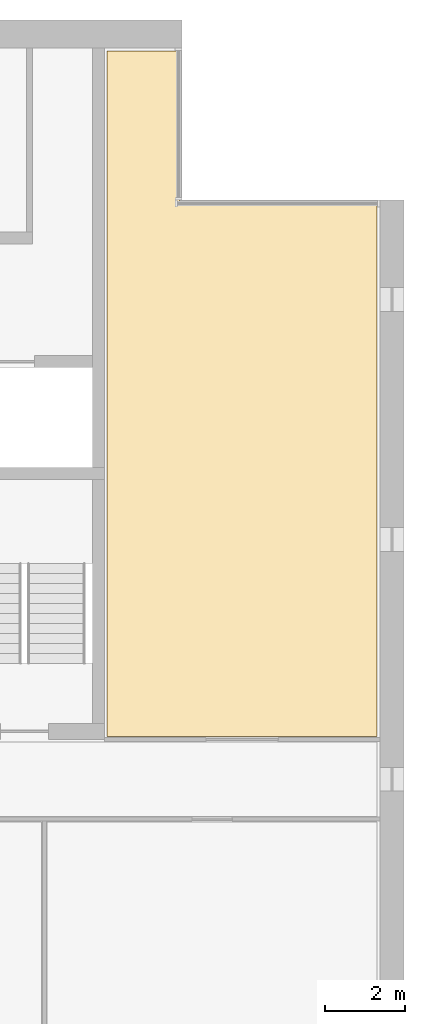
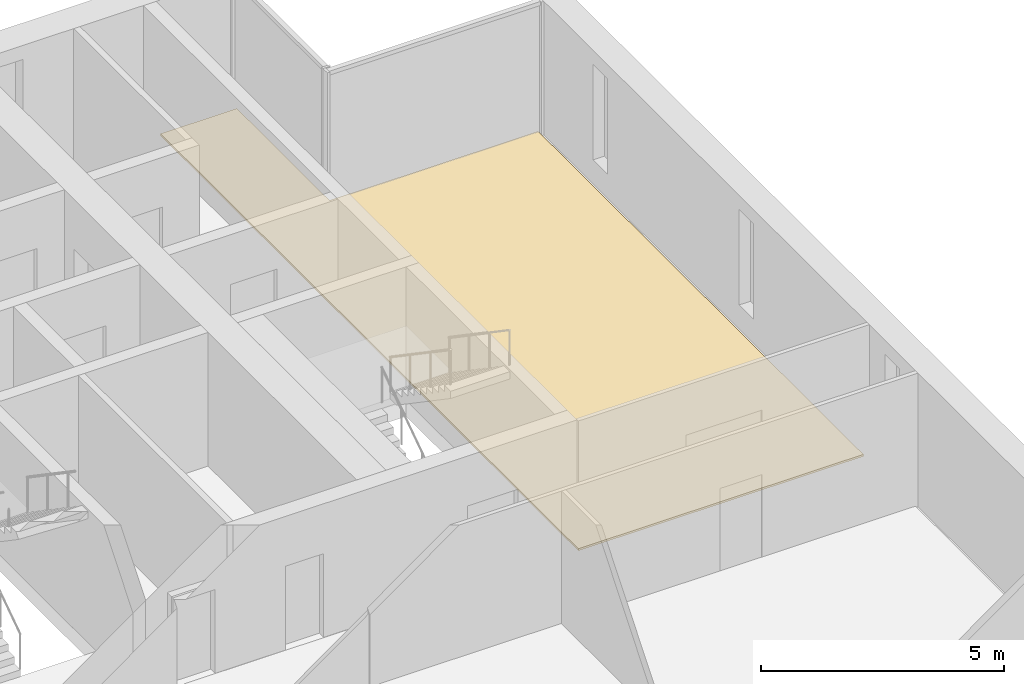
# One storey, part 17 of 17: 1 covering.
"""IFC4 building model written with IfcOpenShell, lengths in metres."""

from ifc_helpers import new_model, si_unit, direction, frame, origin, place, context, subcontext, project, spatial, polyline, outline, extrude, material, layer, layer_set, type_object, element, save


model = new_model("IFC4")

# Units and contexts
model_context = context("Model", 3, precision=1e-05, world=origin(), true_north=direction((0.0, 1.0)))
body_context = subcontext(model_context, "Body", "Model", "MODEL_VIEW")
ifc_project = project(units=[si_unit("LENGTHUNIT", "METRE"), si_unit("AREAUNIT", "SQUARE_METRE"), si_unit("VOLUMEUNIT", "CUBIC_METRE"), si_unit("PLANEANGLEUNIT", "RADIAN"), si_unit("MASSUNIT", "GRAM", prefix="KILO")], contexts=[model_context])

# Site, building, storey
site_placement = place(None, origin())
site = spatial("IfcSite", under=ifc_project, at=site_placement, CompositionType="ELEMENT")
building_placement = place(site_placement, origin())
building = spatial("IfcBuilding", under=site, at=building_placement, Name="Calvaro Tower", CompositionType="ELEMENT")
storey_placement = place(building_placement, frame((0.0, 0.0, 185.5)))
storey = spatial("IfcBuildingStorey", under=building, at=storey_placement, Name="L46", CompositionType="ELEMENT", Elevation=185.5)

# Covering
ifc_material = material(Name="Cement screed with carpet tile finish")
ifc_layer = layer(ifc_material, 0.050048828125)
ifc_layer_set = layer_set([ifc_layer], Name="Cement screed with carpet tile finish")
covering_type = type_object("IfcCoveringType", Name="Floor finish 50", PredefinedType="FLOORING", material=ifc_layer_set)
covering_placement = place(storey_placement, origin())
element("IfcCovering", 1, at=covering_placement, inside=storey, type_object=covering_type, Name="Floor finish 27.16", PredefinedType="FLOORING", context=body_context, shape_type="SweptSolid", body=[
    extrude(outline(polyline([(71.330078125, 28.070068359375), (64.570068359375, 28.070068359375), (64.570068359375, 45.22998046875), (66.3798828125, 45.22998046875), (66.3798828125, 41.429931640625), (71.330078125, 41.429931640625), (71.330078125, 28.070068359375)])), origin(), (0.0, 0.0, 1.0), 0.050048828125),
])

save(model, "model.ifc")
